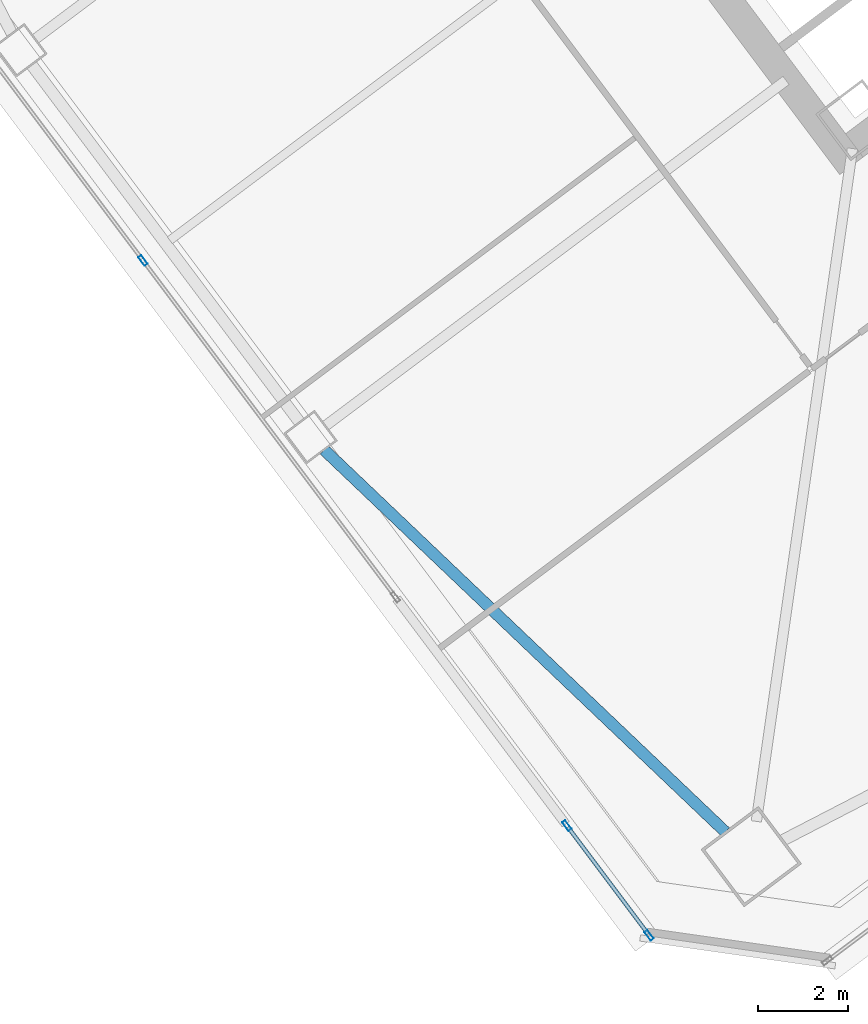
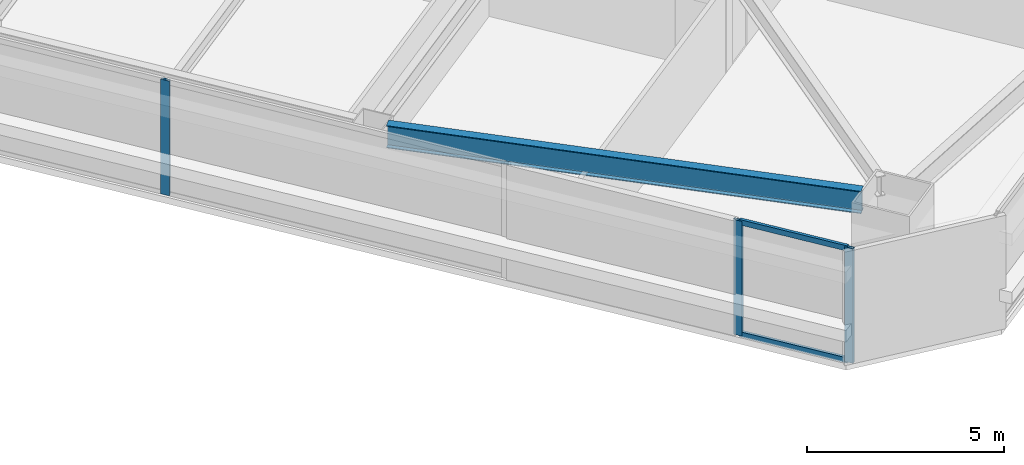
# One storey, part 20 of 51: 5 members, 1 beam, 2 elements without a shape of their own.
"""IFC4 building model written with IfcOpenShell, lengths in metres."""

from ifc_helpers import new_model, si_unit, direction, frame, origin, origin_2d, place, context, subcontext, project, spatial, hollow_rectangle, i_section, extrude, material, material_profile, profile_set, type_object, element, aggregate, save


model = new_model("IFC4")

# Units and contexts
model_context = context("Model", 3, precision=1e-05, world=origin(), true_north=direction((0.0, 1.0)))
body_context = subcontext(model_context, "Body", "Model", "MODEL_VIEW")
ifc_project = project(units=[si_unit("LENGTHUNIT", "METRE"), si_unit("AREAUNIT", "SQUARE_METRE"), si_unit("VOLUMEUNIT", "CUBIC_METRE"), si_unit("PLANEANGLEUNIT", "RADIAN"), si_unit("MASSUNIT", "GRAM", prefix="KILO")], contexts=[model_context])

# Site, building, storey
site_placement = place(None, origin())
site = spatial("IfcSite", under=ifc_project, at=site_placement, CompositionType="ELEMENT")
building_placement = place(site_placement, origin())
building = spatial("IfcBuilding", under=site, at=building_placement, Name="Tashvorn Skyway Center", CompositionType="ELEMENT")
storey_placement = place(building_placement, frame((0.0, 0.0, 49.449951171875)))
storey = spatial("IfcBuildingStorey", under=building, at=storey_placement, Name="L12", CompositionType="ELEMENT", Elevation=49.449951171875)

# Beam
ifc_material_1 = material(Name="Steel ASTM A992 Grade 50", Category="steel")
ifc_material_profile_1 = material_profile(ifc_material_1, i_section(OverallWidth=0.256103515625, OverallDepth=0.693115234375, WebThickness=0.014404296875, FlangeThickness=0.023681640625, at=origin_2d()), Name="W27X114")
ifc_profile_set_1 = profile_set([ifc_material_profile_1], Name="Steel ASTM A992 Grade 50")
beam_type = type_object("IfcBeamType", Name="BM-SPANDREL-W27X114", PredefinedType="SPANDREL", material=ifc_profile_set_1)
beam_placement = place(storey_placement, frame((100.7041015625, 14.76025390625, 3.003662109375), z_axis=(0.724200339835, -0.689589637236, 0.0), x_axis=(0.689589637236, 0.724200339835, 0.0)))
element("IfcBeam", 1, at=beam_placement, inside=storey, type_object=beam_type, Name="Tower 2 L12 Spandrel Beam 12", PredefinedType="SPANDREL", context=body_context, shape_type="SweptSolid", body=[
    extrude(i_section(OverallWidth=0.256103515625, OverallDepth=0.693115234375, WebThickness=0.014404296875, FlangeThickness=0.023681640625, at=origin_2d()), origin(), (0.0, 0.0, 1.0), 12.37255859375),
])

# Curtain wall, members
ifc_material_2 = material(Name="Thermally broken bronze-anodized aluminium 6063-T6", Category="aluminium")
curtain_wall_type = type_object("IfcCurtainWallType", Name="CW-CW-Z1", PredefinedType="NOTDEFINED", material=ifc_material_2)
curtain_wall_1_placement = place(storey_placement, origin())
curtain_wall_1 = element("IfcCurtainWall", 2, at=curtain_wall_1_placement, inside=storey, type_object=curtain_wall_type, Name="Tower 2 L12 West Unitised Curtain Wall Glazing Group 1", PredefinedType="NOTDEFINED")
ifc_material_profile_2 = material_profile(ifc_material_2, hollow_rectangle(XDim=0.0849609375, YDim=0.239990234375, WallThickness=0.0048828125, at=origin_2d()), Name="ALU-MULL-85x240")
ifc_profile_set_2 = profile_set([ifc_material_profile_2], Name="Thermally broken bronze-anodized aluminium 6063-T6")
member_type_1 = type_object("IfcMemberType", Name="CWM-CW-Z1", PredefinedType="MULLION", material=ifc_profile_set_2)
member_1_placement = place(storey_placement, frame((107.95849609375, 3.922119140625, 0.0), z_axis=(0.0, 0.0, 1.0), x_axis=(-0.799996186392, -0.600005084776, 0.0)))
member_1 = element("IfcMember", 3, at=member_1_placement, type_object=member_type_1, Name="CW-Z1 mullion 1", PredefinedType="MULLION", context=body_context, shape_type="SweptSolid", body=[
    extrude(hollow_rectangle(XDim=0.0849609375, YDim=0.239990234375, WallThickness=0.0048828125, at=origin_2d()), origin(), (0.0, 0.0, 1.0), 3.550048828125),
])
member_2_placement = place(storey_placement, frame((106.12158203125, 6.371337890625, 0.0), z_axis=(0.0, 0.0, 1.0), x_axis=(-0.799996186392, -0.600005084776, 0.0)))
member_2 = element("IfcMember", 4, at=member_2_placement, type_object=member_type_1, Name="CW-Z1 mullion 2", PredefinedType="MULLION", context=body_context, shape_type="SweptSolid", body=[
    extrude(hollow_rectangle(XDim=0.0849609375, YDim=0.239990234375, WallThickness=0.0048828125, at=origin_2d()), origin(), (0.0, 0.0, 1.0), 3.550048828125),
])

# Curtain wall, member
curtain_wall_2_placement = place(storey_placement, origin())
curtain_wall_2 = element("IfcCurtainWall", 5, at=curtain_wall_2_placement, inside=storey, type_object=curtain_wall_type, Name="Tower 2 L12 West Unitised Curtain Wall Glazing Group 2", PredefinedType="NOTDEFINED")
member_3_placement = place(storey_placement, frame((96.656005859375, 18.991943359375, 0.0), z_axis=(0.0, 0.0, 1.0), x_axis=(-0.799999999998, -0.600000000002, 0.0)))
member_3 = element("IfcMember", 6, at=member_3_placement, type_object=member_type_1, Name="CW-Z1 mullion 2", PredefinedType="MULLION", context=body_context, shape_type="SweptSolid", body=[
    extrude(hollow_rectangle(XDim=0.0849609375, YDim=0.239990234375, WallThickness=0.0048828125, at=origin_2d()), origin(), (0.0, 0.0, 1.0), 3.550048828125),
])
aggregate(curtain_wall_2, [member_3])

# Member
ifc_material_profile_3 = material_profile(ifc_material_2, hollow_rectangle(XDim=0.0849609375, YDim=0.1650390625, WallThickness=0.0048828125, at=origin_2d()), Name="ALU-TRAN-85x165")
ifc_profile_set_3 = profile_set([ifc_material_profile_3], Name="Thermally broken bronze-anodized aluminium 6063-T6")
member_type_2 = type_object("IfcMemberType", Name="CWT-CW-Z1", PredefinedType="USERDEFINED", material=ifc_profile_set_3)
member_4_placement = place(storey_placement, frame((107.93310546875, 3.9560546875, 0.04248046875), z_axis=(-0.600026244674, 0.799980315822, 0.0), x_axis=(-0.799980315822, -0.600026244674, 0.0)))
member_4 = element("IfcMember", 7, at=member_4_placement, type_object=member_type_2, Name="CW-Z1 transom 1.1", ObjectType="TRANSOM", PredefinedType="USERDEFINED", context=body_context, shape_type="SweptSolid", body=[
    extrude(hollow_rectangle(XDim=0.0849609375, YDim=0.1650390625, WallThickness=0.0048828125, at=origin_2d()), origin(), (0.0, 0.0, 1.0), 2.976806640625),
])

member_5_placement = place(storey_placement, frame((107.93310546875, 3.9560546875, 3.507568359375), z_axis=(-0.600026244674, 0.799980315822, 0.0), x_axis=(-0.799980315822, -0.600026244674, 0.0)))
member_5 = element("IfcMember", 8, at=member_5_placement, type_object=member_type_2, Name="CW-Z1 transom 1.2", ObjectType="TRANSOM", PredefinedType="USERDEFINED", context=body_context, shape_type="SweptSolid", body=[
    extrude(hollow_rectangle(XDim=0.0849609375, YDim=0.1650390625, WallThickness=0.0048828125, at=origin_2d()), origin(), (0.0, 0.0, 1.0), 2.976806640625),
])

aggregate(curtain_wall_1, [member_1, member_2, member_4, member_5])

save(model, "model.ifc")
